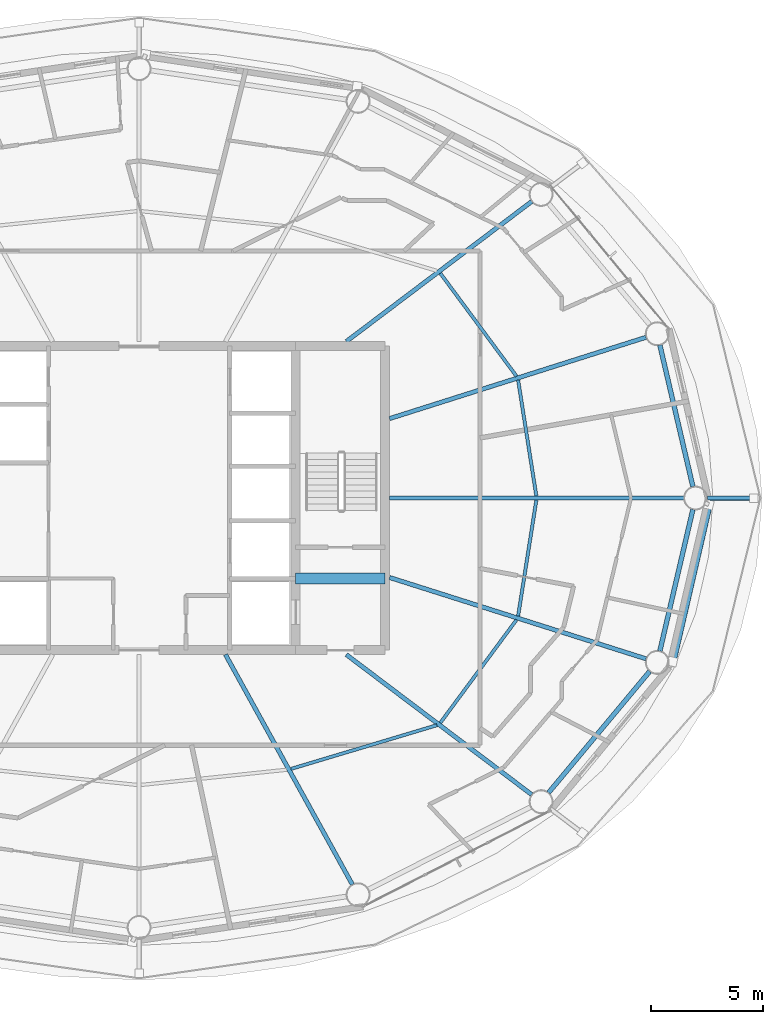
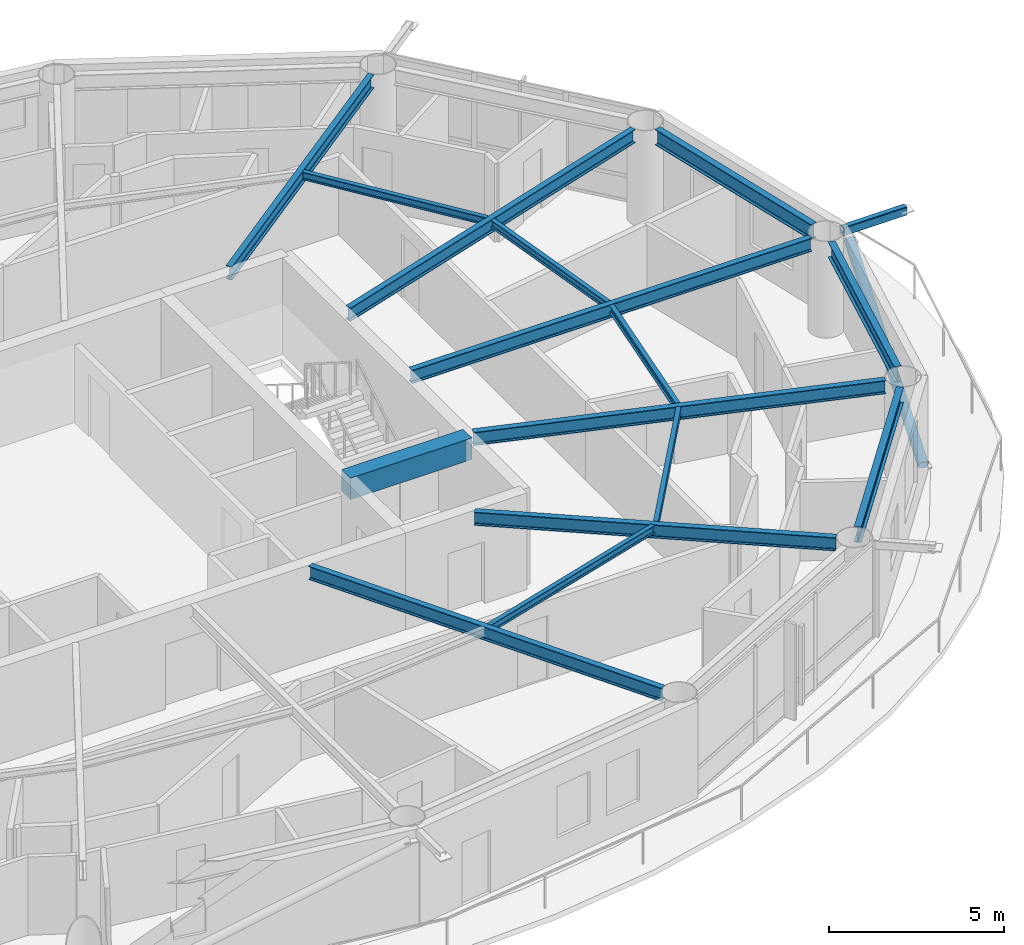
# One storey, part 6 of 23: 15 beams, 2 members.
"""IFC4 building model written with IfcOpenShell, lengths in metres."""

from ifc_helpers import new_model, si_unit, direction, frame, origin, origin_2d, place, context, subcontext, project, spatial, rectangle, hollow_rectangle, hollow_circle, i_section, extrude, material, material_profile, profile_set, type_object, element, save


model = new_model("IFC4")

# Units and contexts
model_context = context("Model", 3, precision=1e-05, world=origin(), true_north=direction((0.0, 1.0)))
body_context = subcontext(model_context, "Body", "Model", "MODEL_VIEW")
ifc_project = project(units=[si_unit("LENGTHUNIT", "METRE"), si_unit("AREAUNIT", "SQUARE_METRE"), si_unit("VOLUMEUNIT", "CUBIC_METRE"), si_unit("PLANEANGLEUNIT", "RADIAN"), si_unit("MASSUNIT", "GRAM", prefix="KILO")], contexts=[model_context])

# Site, building, storey
site_placement = place(None, origin())
site = spatial("IfcSite", under=ifc_project, at=site_placement, CompositionType="ELEMENT")
building_placement = place(site_placement, origin())
building = spatial("IfcBuilding", under=site, at=building_placement, Name="Sarneth Arch Tower", CompositionType="ELEMENT")
storey_placement = place(building_placement, frame((0.0, 0.0, 249.60009765625)))
storey = spatial("IfcBuildingStorey", under=building, at=storey_placement, Name="L64", CompositionType="ELEMENT", Elevation=249.60009765625)

# Beams
ifc_material_1 = material(Name="Steel S355", Category="steel")
ifc_material_profile_1 = material_profile(ifc_material_1, i_section(OverallWidth=0.14794921875, OverallDepth=0.26611328125, WebThickness=0.007568359375, FlangeThickness=0.012939453125, FilletRadius=0.012939453125, at=origin_2d()), Name="W250x44.8")
ifc_profile_set_1 = profile_set([ifc_material_profile_1], Name="Steel S355")
beam_type_1 = type_object("IfcBeamType", Name="BM-JOIST-250", PredefinedType="JOIST", material=ifc_profile_set_1)
beam_1_placement = place(storey_placement, frame((65.76416015625, 42.0947265625, 3.226806640625), z_axis=(-0.155393595615, 0.987852635995, 0.0), x_axis=(-0.987852635995, -0.155393595615, 0.0)))
element("IfcBeam", 1, at=beam_1_placement, inside=storey, type_object=beam_type_1, Name="L64 Secondary floor joist 01", PredefinedType="JOIST", context=body_context, shape_type="SweptSolid", body=[
    extrude(i_section(OverallWidth=0.14794921875, OverallDepth=0.26611328125, WebThickness=0.007568359375, FlangeThickness=0.012939453125, FilletRadius=0.012939453125, at=origin_2d()), origin(), (0.0, 0.0, 1.0), 5.244384765625),
])
beam_2_placement = place(storey_placement, frame((64.877197265625, 47.447509765625, 3.226806640625), z_axis=(-0.594853468946, 0.803834156081, 0.0), x_axis=(-0.803834156081, -0.594853468946, 0.0)))
element("IfcBeam", 2, at=beam_2_placement, inside=storey, type_object=beam_type_1, Name="L64 Secondary floor joist 02", PredefinedType="JOIST", context=body_context, shape_type="SweptSolid", body=[
    extrude(i_section(OverallWidth=0.14794921875, OverallDepth=0.26611328125, WebThickness=0.007568359375, FlangeThickness=0.012939453125, FilletRadius=0.012939453125, at=origin_2d()), origin(), (0.0, 0.0, 1.0), 5.72900390625),
])
beam_3_placement = place(storey_placement, frame((54.79248046875, 29.88818359375, 3.226806640625), z_axis=(0.957984908347, 0.286818610589, 0.0), x_axis=(-0.286818610589, 0.957984908347, 0.0)))
element("IfcBeam", 3, at=beam_3_placement, inside=storey, type_object=beam_type_1, Name="L64 Secondary floor joist 14", PredefinedType="JOIST", context=body_context, shape_type="SweptSolid", body=[
    extrude(i_section(OverallWidth=0.14794921875, OverallDepth=0.26611328125, WebThickness=0.007568359375, FlangeThickness=0.012939453125, FilletRadius=0.012939453125, at=origin_2d()), origin(), (0.0, 0.0, 1.0), 6.81396484375),
])
beam_4_placement = place(storey_placement, frame((61.46923828125, 31.947265625, 3.226806640625), z_axis=(0.594853468946, 0.803834156081, 0.0), x_axis=(-0.803834156081, 0.594853468946, 0.0)))
element("IfcBeam", 4, at=beam_4_placement, inside=storey, type_object=beam_type_1, Name="L64 Secondary floor joist 15", PredefinedType="JOIST", context=body_context, shape_type="SweptSolid", body=[
    extrude(i_section(OverallWidth=0.14794921875, OverallDepth=0.26611328125, WebThickness=0.007568359375, FlangeThickness=0.012939453125, FilletRadius=0.012939453125, at=origin_2d()), origin(), (0.0, 0.0, 1.0), 5.72900390625),
])
beam_5_placement = place(storey_placement, frame((64.94921875, 36.724609375, 3.226806640625), z_axis=(0.155393595615, 0.987852635995, 0.0), x_axis=(-0.987852635995, 0.155393595615, 0.0)))
element("IfcBeam", 5, at=beam_5_placement, inside=storey, type_object=beam_type_1, Name="L64 Secondary floor joist 16", PredefinedType="JOIST", context=body_context, shape_type="SweptSolid", body=[
    extrude(i_section(OverallWidth=0.14794921875, OverallDepth=0.26611328125, WebThickness=0.007568359375, FlangeThickness=0.012939453125, FilletRadius=0.012939453125, at=origin_2d()), origin(), (0.0, 0.0, 1.0), 5.244384765625),
])
ifc_material_2 = material(Name="Concrete C50/60", Category="concrete")
ifc_material_profile_2 = material_profile(ifc_material_2, rectangle(XDim=0.5, YDim=0.75, at=origin_2d()), Name="RC-500x750")
ifc_profile_set_2 = profile_set([ifc_material_profile_2], Name="Concrete C50/60")
beam_type_2 = type_object("IfcBeamType", Name="BM-LINTEL-RC", PredefinedType="LINTEL", material=ifc_profile_set_2)
beam_6_placement = place(storey_placement, frame((55.0, 38.39990234375, 2.98486328125), z_axis=(1.0, 0.0, 0.0), x_axis=(0.0, 1.0, 0.0)))
element("IfcBeam", 6, at=beam_6_placement, inside=storey, type_object=beam_type_2, Name="L64 Core coupling lintel E", PredefinedType="LINTEL", context=body_context, shape_type="SweptSolid", body=[
    extrude(rectangle(XDim=0.5, YDim=0.75, at=origin_2d()), origin(), (0.0, 0.0, 1.0), 4.0),
])
ifc_material_3 = material(Name="Steel S355", Category="steel")
ifc_material_profile_3 = material_profile(ifc_material_3, i_section(OverallWidth=0.19189453125, OverallDepth=0.462890625, WebThickness=0.010498046875, FlangeThickness=0.017578125, FilletRadius=0.01806640625, at=origin_2d()), Name="W460x89")
ifc_profile_set_3 = profile_set([ifc_material_profile_3], Name="Steel S355")
beam_type_3 = type_object("IfcBeamType", Name="BM-RAD-460B", PredefinedType="BEAM", material=ifc_profile_set_3)
beam_7_placement = place(storey_placement, frame((59.199951171875, 42.0, 3.12841796875), z_axis=(1.0, 0.0, 0.0), x_axis=(0.0, 1.0, 0.0)))
element("IfcBeam", 7, at=beam_7_placement, inside=storey, type_object=beam_type_3, Name="L64 Radial floor girder 01", PredefinedType="BEAM", context=body_context, shape_type="SweptSolid", body=[
    extrude(i_section(OverallWidth=0.19189453125, OverallDepth=0.462890625, WebThickness=0.010498046875, FlangeThickness=0.017578125, FilletRadius=0.01806640625, at=origin_2d()), origin(), (0.0, 0.0, 1.0), 13.158203125),
])
beam_8_placement = place(storey_placement, frame((59.199951171875, 45.5517578125, 3.12841796875), z_axis=(0.953216092177, 0.302289731243, 0.0), x_axis=(-0.302289731243, 0.953216092177, 0.0)))
element("IfcBeam", 8, at=beam_8_placement, inside=storey, type_object=beam_type_3, Name="L64 Radial floor girder 02", PredefinedType="BEAM", context=body_context, shape_type="SweptSolid", body=[
    extrude(i_section(OverallWidth=0.19189453125, OverallDepth=0.462890625, WebThickness=0.010498046875, FlangeThickness=0.017578125, FilletRadius=0.01806640625, at=origin_2d()), origin(), (0.0, 0.0, 1.0), 12.031494140625),
])
beam_9_placement = place(storey_placement, frame((57.26806640625, 49.0, 3.12841796875), z_axis=(0.79797308069, 0.60269309146, 0.0), x_axis=(-0.60269309146, 0.79797308069, 0.0)))
element("IfcBeam", 9, at=beam_9_placement, inside=storey, type_object=beam_type_3, Name="L64 Radial floor girder 03", PredefinedType="BEAM", context=body_context, shape_type="SweptSolid", body=[
    extrude(i_section(OverallWidth=0.19189453125, OverallDepth=0.462890625, WebThickness=0.010498046875, FlangeThickness=0.017578125, FilletRadius=0.01806640625, at=origin_2d()), origin(), (0.0, 0.0, 1.0), 10.38671875),
])
beam_10_placement = place(storey_placement, frame((51.86376953125, 35.0, 3.12841796875), z_axis=(0.483225760768, -0.875495781903, 0.0), x_axis=(0.875495781903, 0.483225760768, 0.0)))
element("IfcBeam", 10, at=beam_10_placement, inside=storey, type_object=beam_type_3, Name="L64 Radial floor girder 14", PredefinedType="BEAM", context=body_context, shape_type="SweptSolid", body=[
    extrude(i_section(OverallWidth=0.19189453125, OverallDepth=0.462890625, WebThickness=0.010498046875, FlangeThickness=0.017578125, FilletRadius=0.01806640625, at=origin_2d()), origin(), (0.0, 0.0, 1.0), 11.740478515625),
])
beam_11_placement = place(storey_placement, frame((57.26806640625, 35.0, 3.12841796875), z_axis=(0.79797308069, -0.60269309146, 0.0), x_axis=(0.60269309146, 0.79797308069, 0.0)))
element("IfcBeam", 11, at=beam_11_placement, inside=storey, type_object=beam_type_3, Name="L64 Radial floor girder 15", PredefinedType="BEAM", context=body_context, shape_type="SweptSolid", body=[
    extrude(i_section(OverallWidth=0.19189453125, OverallDepth=0.462890625, WebThickness=0.010498046875, FlangeThickness=0.017578125, FilletRadius=0.01806640625, at=origin_2d()), origin(), (0.0, 0.0, 1.0), 10.38671875),
])
beam_12_placement = place(storey_placement, frame((59.199951171875, 38.4482421875, 3.12841796875), z_axis=(0.953216092177, -0.302289731243, 0.0), x_axis=(0.302289731243, 0.953216092177, 0.0)))
element("IfcBeam", 12, at=beam_12_placement, inside=storey, type_object=beam_type_3, Name="L64 Radial floor girder 16", PredefinedType="BEAM", context=body_context, shape_type="SweptSolid", body=[
    extrude(i_section(OverallWidth=0.19189453125, OverallDepth=0.462890625, WebThickness=0.010498046875, FlangeThickness=0.017578125, FilletRadius=0.01806640625, at=origin_2d()), origin(), (0.0, 0.0, 1.0), 12.031494140625),
])
ifc_material_4 = material(Name="Steel S355", Category="steel")
ifc_material_profile_4 = material_profile(ifc_material_4, i_section(OverallWidth=0.2109375, OverallDepth=0.5390625, WebThickness=0.01171875, FlangeThickness=0.018798828125, FilletRadius=0.01806640625, at=origin_2d()), Name="W530x109")
ifc_profile_set_4 = profile_set([ifc_material_profile_4], Name="Steel S355")
beam_type_4 = type_object("IfcBeamType", Name="BM-RAD-530B", PredefinedType="BEAM", material=ifc_profile_set_4)
beam_13_placement = place(storey_placement, frame((72.763916015625, 42.51123046875, 3.09033203125), z_axis=(-0.227230803906, 0.973840932471, 0.0), x_axis=(-0.973840932471, -0.227230803906, 0.0)))
element("IfcBeam", 13, at=beam_13_placement, inside=storey, type_object=beam_type_4, Name="L64 Perimeter spandrel beam 01", PredefinedType="BEAM", context=body_context, shape_type="SweptSolid", body=[
    extrude(i_section(OverallWidth=0.2109375, OverallDepth=0.5390625, WebThickness=0.01171875, FlangeThickness=0.018798828125, FilletRadius=0.01806640625, at=origin_2d()), origin(), (0.0, 0.0, 1.0), 6.494873046875),
])
beam_14_placement = place(storey_placement, frame((66.3115234375, 28.82666015625, 3.09033203125), z_axis=(0.640364654985, 0.76807103099, 0.0), x_axis=(-0.76807103099, 0.640364654985, 0.0)))
element("IfcBeam", 14, at=beam_14_placement, inside=storey, type_object=beam_type_4, Name="L64 Perimeter spandrel beam 15", PredefinedType="BEAM", context=body_context, shape_type="SweptSolid", body=[
    extrude(i_section(OverallWidth=0.2109375, OverallDepth=0.5390625, WebThickness=0.01171875, FlangeThickness=0.018798828125, FilletRadius=0.01806640625, at=origin_2d()), origin(), (0.0, 0.0, 1.0), 7.06005859375),
])
beam_15_placement = place(storey_placement, frame((71.2880859375, 35.163818359375, 3.09033203125), z_axis=(0.227230803906, 0.973840932471, 0.0), x_axis=(-0.973840932471, 0.227230803906, 0.0)))
element("IfcBeam", 15, at=beam_15_placement, inside=storey, type_object=beam_type_4, Name="L64 Perimeter spandrel beam 16", PredefinedType="BEAM", context=body_context, shape_type="SweptSolid", body=[
    extrude(i_section(OverallWidth=0.2109375, OverallDepth=0.5390625, WebThickness=0.01171875, FlangeThickness=0.018798828125, FilletRadius=0.01806640625, at=origin_2d()), origin(), (0.0, 0.0, 1.0), 6.494873046875),
])

# Members
ifc_material_5 = material(Name="Steel S355", Category="steel")
ifc_material_profile_5 = material_profile(ifc_material_5, hollow_rectangle(XDim=0.199951171875, YDim=0.300048828125, WallThickness=0.012451171875, InnerFilletRadius=0.018798828125, OuterFilletRadius=0.03125, at=origin_2d()), Name="RHS300x200x12.5")
ifc_profile_set_5 = profile_set([ifc_material_profile_5], Name="Steel S355")
member_type_1 = type_object("IfcMemberType", Name="MEM-CANT-STRUT", PredefinedType="STRUT", material=ifc_profile_set_5)
member_1_placement = place(storey_placement, frame((73.408203125, 42.0, 3.199951171875), z_axis=(1.0, 0.0, 0.0), x_axis=(0.0, 1.0, 0.0)))
element("IfcMember", 16, at=member_1_placement, inside=storey, type_object=member_type_1, Name="L64 Balcony cantilever bracket 01", PredefinedType="STRUT", context=body_context, shape_type="SweptSolid", body=[
    extrude(hollow_rectangle(XDim=0.199951171875, YDim=0.300048828125, WallThickness=0.012451171875, InnerFilletRadius=0.018798828125, OuterFilletRadius=0.03125, at=origin_2d()), origin(), (0.0, 0.0, 1.0), 2.074951171875),
])
ifc_material_6 = material(Name="Steel S355", Category="steel")
ifc_material_profile_6 = material_profile(ifc_material_6, hollow_circle(Radius=0.162109375, WallThickness=0.012451171875, at=origin_2d()), Name="CHS324x12.5")
ifc_profile_set_6 = profile_set([ifc_material_profile_6], Name="Steel S355")
member_type_2 = type_object("IfcMemberType", Name="MEM-DIAG-BR3", PredefinedType="BRACE", material=ifc_profile_set_6)
member_2_placement = place(storey_placement, frame((71.851806640625, 34.6845703125, 0.02001953125), z_axis=(0.207917989892, 0.898749333617, 0.386030756289), x_axis=(-0.974268900284, 0.225388797281, 0.0)))
element("IfcMember", 17, at=member_2_placement, inside=storey, type_object=member_type_2, Name="L64 Perimeter frame diagonal 16", PredefinedType="BRACE", context=body_context, shape_type="SweptSolid", body=[
    extrude(hollow_circle(Radius=0.162109375, WallThickness=0.012451171875, at=origin_2d()), origin(), (0.0, 0.0, 1.0), 7.814453125),
])

save(model, "model.ifc")
